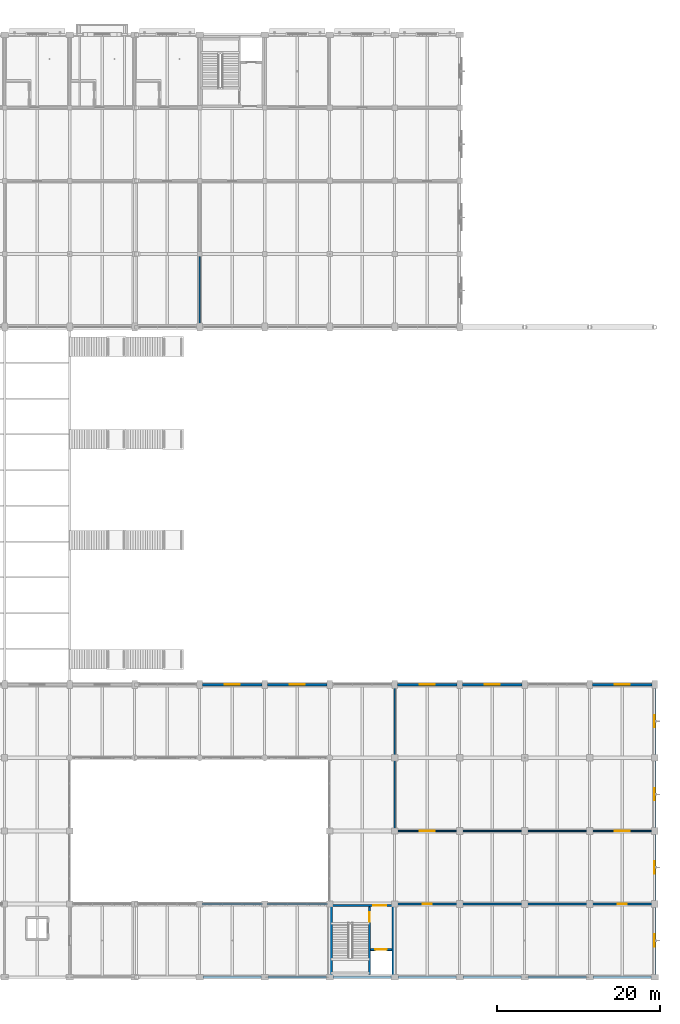
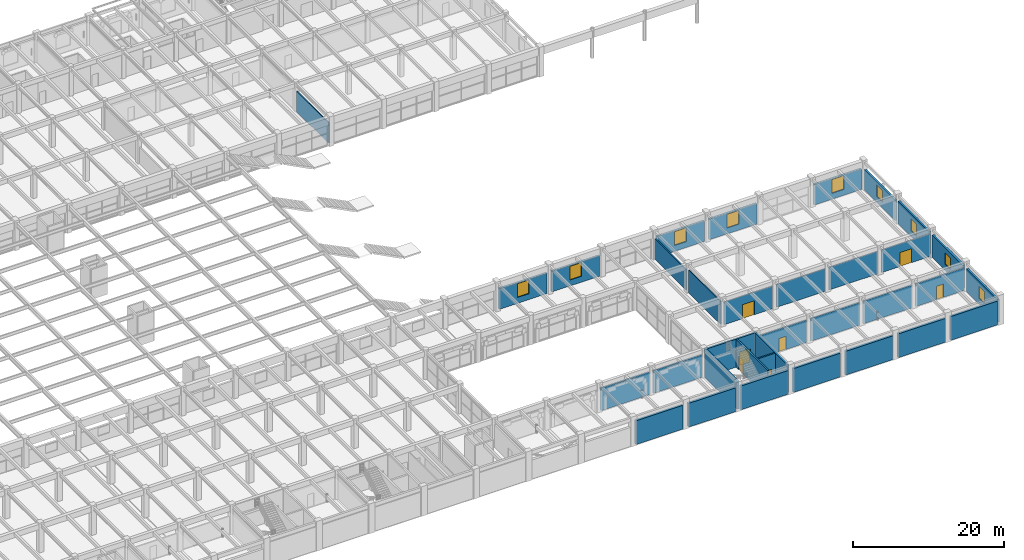
# One storey, part 112 of 144: 34 walls, 9 windows, 7 doors, 16 openings.
"""IFC4 building model written with IfcOpenShell, lengths in metres."""

from ifc_helpers import new_model, si_unit, direction, frame, frame_2d, origin, place, context, subcontext, project, spatial, rectangle, extrude, material, layer, layer_set, type_object, element, fill, save


model = new_model("IFC4")

# Units and contexts
model_context = context("Model", 3, precision=1e-05, world=origin(), true_north=direction((0.0, 1.0)))
body_context = subcontext(model_context, "Body", "Model", "MODEL_VIEW")
ifc_project = project(units=[si_unit("LENGTHUNIT", "METRE"), si_unit("AREAUNIT", "SQUARE_METRE"), si_unit("VOLUMEUNIT", "CUBIC_METRE"), si_unit("PLANEANGLEUNIT", "RADIAN"), si_unit("MASSUNIT", "GRAM", prefix="KILO")], contexts=[model_context])

# Site, building, storey
site_placement = place(None, origin())
site = spatial("IfcSite", under=ifc_project, at=site_placement, CompositionType="ELEMENT")
building_placement = place(site_placement, origin())
building = spatial("IfcBuilding", under=site, at=building_placement, Name="Varnabhumi Central Station", CompositionType="ELEMENT")
storey_placement = place(building_placement, frame((0.0, 0.0, 4.800048828125)))
storey = spatial("IfcBuildingStorey", under=building, at=storey_placement, Name="L01", CompositionType="ELEMENT", Elevation=4.800048828125)

# Walls
ifc_material_1 = material(Name="Autoclaved aerated blockwork masonry", Category="masonry")
ifc_layer_1 = layer(ifc_material_1, 0.219970703125, Name="Autoclaved aerated blockwork masonry", Category="masonry")
ifc_layer_set_1 = layer_set([ifc_layer_1], Name="Autoclaved aerated blockwork masonry")
wall_type_1 = type_object("IfcWallType", Name="WAL-COMP-AAC-220", PredefinedType="SOLIDWALL", material=ifc_layer_set_1)
for number, where, z_axis, x_axis, name in (
    (1, (128.300048828125, 9.0, 0.0), (0.0, 0.0, 1.0), (1.0, 0.0, 0.0), "Lost Property and Station Archive Store Corridor Partition 3"),
    (2, (136.300048828125, 9.0, 0.0), (0.0, 0.0, 1.0), (1.0, 0.0, 0.0), "Lost Property and Station Archive Store Corridor Partition 4"),
):
    element("IfcWall", number, at=place(storey_placement, frame(where, z_axis=z_axis, x_axis=x_axis)), inside=storey, type_object=wall_type_1, Name=name, PredefinedType="SOLIDWALL", context=body_context, shape_type="SweptSolid", body=[
        extrude(rectangle(XDim=7.39990234375, YDim=0.219970703125, at=frame_2d((3.699951171875, 0.0))), origin(), (0.0, 0.0, 1.0), 3.659912109375),
    ])

# Wall, opening, door
wall_1_placement = place(storey_placement, frame((152.300048828125, 9.0, 0.0), z_axis=(0.0, 0.0, 1.0), x_axis=(1.0, 0.0, 0.0)))
wall_1 = element("IfcWall", 3, at=wall_1_placement, inside=storey, type_object=wall_type_1, Name="Dry Commissary Store Corridor Partition 1", PredefinedType="SOLIDWALL", context=body_context, shape_type="SweptSolid", body=[
    extrude(rectangle(XDim=7.39990234375, YDim=0.219970703125, at=frame_2d((3.699951171875, 0.0))), origin(), (0.0, 0.0, 1.0), 3.659912109375),
])
opening_1_placement = place(wall_1_placement, frame((3.14990234375, 0.0, 0.0)))
opening_1 = element("IfcOpeningElement", 4, at=opening_1_placement, cuts=wall_1, Name="Opening FD-60", PredefinedType="OPENING", context=body_context, shape_type="SweptSolid", body=[
    extrude(rectangle(XDim=1.10009765625, YDim=2.14990234375, at=frame_2d((0.550048828125, 1.074951171875))), frame((0.0, 0.119873046875, 0.0), z_axis=(0.0, -1.0, 0.0), x_axis=(1.0, 0.0, 0.0)), (0.0, 0.0, 1.0), 0.239990234375),
])
ifc_material_2 = material(Name="Intumescent-treated hardwood timber", Category="wood")
door_type_1 = type_object("IfcDoorType", Name="DR-FIRE-60-1100", OperationType="NOTDEFINED", PredefinedType="DOOR", material=ifc_material_2)
door_1_placement = place(opening_1_placement, origin())
door_1 = element("IfcDoor", 5, at=door_1_placement, inside=storey, type_object=door_type_1, Name="Dry Commissary Store Door 1", OperationType="SINGLE_SWING_RIGHT", OverallHeight=2.14990234375, OverallWidth=1.10009765625, PredefinedType="DOOR", context=body_context, shape_type="SweptSolid", body=[
    extrude(rectangle(XDim=1.10009765625, YDim=2.14990234375, at=frame_2d((0.550048828125, 1.074951171875))), frame((0.0, 0.02490234375, 0.0), z_axis=(0.0, -1.0, 0.0), x_axis=(1.0, 0.0, 0.0)), (0.0, 0.0, 1.0), 0.050048828125),
])
fill(opening_1, door_1)

# Walls
for number, where, z_axis, x_axis, name in (
    (6, (160.300048828125, 9.0, 0.0), (0.0, 0.0, 1.0), (1.0, 0.0, 0.0), "Dry Commissary Store Corridor Partition 2"),
    (7, (168.300048828125, 9.0, 0.0), (0.0, 0.0, 1.0), (1.0, 0.0, 0.0), "Dry Commissary Store Corridor Partition 3"),
):
    element("IfcWall", number, at=place(storey_placement, frame(where, z_axis=z_axis, x_axis=x_axis)), inside=storey, type_object=wall_type_1, Name=name, PredefinedType="SOLIDWALL", context=body_context, shape_type="SweptSolid", body=[
        extrude(rectangle(XDim=7.39990234375, YDim=0.219970703125, at=frame_2d((3.699951171875, 0.0))), origin(), (0.0, 0.0, 1.0), 3.659912109375),
    ])

# Wall, opening, door
wall_2_placement = place(storey_placement, frame((176.300048828125, 9.0, 0.0), z_axis=(0.0, 0.0, 1.0), x_axis=(1.0, 0.0, 0.0)))
wall_2 = element("IfcWall", 8, at=wall_2_placement, inside=storey, type_object=wall_type_1, Name="Dry Commissary Store Corridor Partition 4", PredefinedType="SOLIDWALL", context=body_context, shape_type="SweptSolid", body=[
    extrude(rectangle(XDim=7.39990234375, YDim=0.219970703125, at=frame_2d((3.699951171875, 0.0))), origin(), (0.0, 0.0, 1.0), 3.659912109375),
])
opening_2_placement = place(wall_2_placement, frame((3.14990234375, 0.0, 0.0)))
opening_2 = element("IfcOpeningElement", 9, at=opening_2_placement, cuts=wall_2, Name="Opening FD-60", PredefinedType="OPENING", context=body_context, shape_type="SweptSolid", body=[
    extrude(rectangle(XDim=1.10009765625, YDim=2.14990234375, at=frame_2d((0.550048828125, 1.074951171875))), frame((0.0, 0.119873046875, 0.0), z_axis=(0.0, -1.0, 0.0), x_axis=(1.0, 0.0, 0.0)), (0.0, 0.0, 1.0), 0.239990234375),
])
door_2_placement = place(opening_2_placement, origin())
door_2 = element("IfcDoor", 10, at=door_2_placement, inside=storey, type_object=door_type_1, Name="Dry Commissary Store Door 4", OperationType="SINGLE_SWING_LEFT", OverallHeight=2.14990234375, OverallWidth=1.10009765625, PredefinedType="DOOR", context=body_context, shape_type="SweptSolid", body=[
    extrude(rectangle(XDim=1.10009765625, YDim=2.14990234375, at=frame_2d((0.550048828125, 1.074951171875))), frame((0.0, 0.02490234375, 0.0), z_axis=(0.0, -1.0, 0.0), x_axis=(1.0, 0.0, 0.0)), (0.0, 0.0, 1.0), 0.050048828125),
])
fill(opening_2, door_2)

# Walls
ifc_material_3 = material(Name="Concrete M40", Category="concrete")
ifc_layer_2 = layer(ifc_material_3, 0.300048828125, Name="Concrete M40", Category="concrete")
ifc_layer_set_2 = layer_set([ifc_layer_2], Name="Concrete M40")
wall_type_2 = type_object("IfcWallType", Name="WAL-CORE-RC-300", PredefinedType="SHEAR", material=ifc_layer_set_2)
for number, where, z_axis, x_axis, name in (
    (11, (144.179931640625, 0.179931640625, 0.0), (0.0, 0.0, 1.0), (0.0, 1.0, 0.0), "SC3 L01 West Shear Wall"),
    (12, (151.820068359375, 0.179931640625, 0.0), (0.0, 0.0, 1.0), (0.0, 1.0, 0.0), "SC3 L01 East Shear Wall"),
):
    element("IfcWall", number, at=place(storey_placement, frame(where, z_axis=z_axis, x_axis=x_axis)), inside=storey, type_object=wall_type_2, Name=name, PredefinedType="SHEAR", context=body_context, shape_type="SweptSolid", body=[
        extrude(rectangle(XDim=8.64013671875, YDim=0.300048828125, at=frame_2d((4.320068359375, 0.0))), origin(), (0.0, 0.0, 1.0), 4.52001953125),
    ])

# Wall, opening, door
wall_3_placement = place(storey_placement, frame((144.030029296875, 8.820068359375, 0.0), z_axis=(0.0, 0.0, 1.0), x_axis=(1.0, 0.0, 0.0)))
wall_3 = element("IfcWall", 13, at=wall_3_placement, inside=storey, type_object=wall_type_2, Name="SC3 L01 Corridor Shear Wall", PredefinedType="SHEAR", context=body_context, shape_type="SweptSolid", body=[
    extrude(rectangle(XDim=7.93994140625, YDim=0.300048828125, at=frame_2d((3.969970703125, 0.0))), origin(), (0.0, 0.0, 1.0), 4.52001953125),
])
opening_3_placement = place(wall_3_placement, frame((5.35009765625, 0.0, 0.0)))
opening_3 = element("IfcOpeningElement", 14, at=opening_3_placement, cuts=wall_3, Name="Opening FD-60D", PredefinedType="OPENING", context=body_context, shape_type="SweptSolid", body=[
    extrude(rectangle(XDim=1.60009765625, YDim=2.14990234375, at=frame_2d((0.800048828125, 1.074951171875))), frame((0.0, 0.159912109375, 0.0), z_axis=(0.0, -1.0, 0.0), x_axis=(1.0, 0.0, 0.0)), (0.0, 0.0, 1.0), 0.320068359375),
])
door_type_2 = type_object("IfcDoorType", Name="DR-FIRE-60-1600", OperationType="NOTDEFINED", PredefinedType="DOOR", material=ifc_material_2)
door_3_placement = place(opening_3_placement, origin())
door_3 = element("IfcDoor", 15, at=door_3_placement, inside=storey, type_object=door_type_2, Name="SC3 L01 Lobby Fire Door", OperationType="DOUBLE_DOOR_SINGLE_SWING", OverallHeight=2.14990234375, OverallWidth=1.60009765625, PredefinedType="DOOR", context=body_context, shape_type="SweptSolid", body=[
    extrude(rectangle(XDim=1.60009765625, YDim=2.14990234375, at=frame_2d((0.800048828125, 1.074951171875))), frame((0.0, 0.02490234375, 0.0), z_axis=(0.0, -1.0, 0.0), x_axis=(1.0, 0.0, 0.0)), (0.0, 0.0, 1.0), 0.050048828125),
])
fill(opening_3, door_3)

# Wall, opening, window
ifc_layer_3 = layer(ifc_material_1, 0.300048828125, Name="Autoclaved aerated blockwork masonry", Category="masonry")
ifc_layer_set_3 = layer_set([ifc_layer_3], Name="Autoclaved aerated blockwork masonry")
wall_type_3 = type_object("IfcWallType", Name="WAL-EXT-STUCCO-300", PredefinedType="SOLIDWALL", material=ifc_layer_set_3)
wall_4_placement = place(storey_placement, frame((128.344970703125, 36.0, 0.0), z_axis=(0.0, 0.0, 1.0), x_axis=(1.0, 0.0, 0.0)))
wall_4 = element("IfcWall", 16, at=wall_4_placement, inside=storey, type_object=wall_type_3, Name="South Spine Wall L01-17", PredefinedType="SOLIDWALL", context=body_context, shape_type="SweptSolid", body=[
    extrude(rectangle(XDim=7.31005859375, YDim=0.300048828125, at=frame_2d((3.655029296875, 0.0))), origin(), (0.0, 0.0, 1.0), 3.31005859375),
])
opening_4_placement = place(wall_4_placement, frame((2.7548828125, 0.0, 0.949951171875)))
opening_4 = element("IfcOpeningElement", 17, at=opening_4_placement, cuts=wall_4, Name="Opening W-02", PredefinedType="OPENING", context=body_context, shape_type="SweptSolid", body=[
    extrude(rectangle(XDim=1.800048828125, YDim=2.219970703125, at=frame_2d((0.89990234375, 1.10986328125))), frame((0.0, 0.159912109375, 0.0), z_axis=(0.0, -1.0, 0.0), x_axis=(1.0, 0.0, 0.0)), (0.0, 0.0, 1.0), 0.320068359375),
])
ifc_material_4 = material(Name="Laminated low-E double glazing", Category="glass")
window_type_1 = type_object("IfcWindowType", Name="WIN-ARCADE-1800x2600", PartitioningType="DOUBLE_PANEL_VERTICAL", PredefinedType="WINDOW", material=ifc_material_4)
window_1_placement = place(opening_4_placement, origin())
window_1 = element("IfcWindow", 18, at=window_1_placement, inside=storey, type_object=window_type_1, Name="South Spine Overlook Window L01-17", OverallHeight=2.219970703125, OverallWidth=1.800048828125, PartitioningType="SINGLE_PANEL", PredefinedType="WINDOW", context=body_context, shape_type="SweptSolid", body=[
    extrude(rectangle(XDim=1.800048828125, YDim=2.219970703125, at=frame_2d((0.89990234375, 1.10986328125))), frame((0.0, 0.030029296875, 0.0), z_axis=(0.0, -1.0, 0.0), x_axis=(1.0, 0.0, 0.0)), (0.0, 0.0, 1.0), 0.06005859375),
])
fill(opening_4, window_1)

wall_5_placement = place(storey_placement, frame((136.344970703125, 36.0, 0.0), z_axis=(0.0, 0.0, 1.0), x_axis=(1.0, 0.0, 0.0)))
wall_5 = element("IfcWall", 19, at=wall_5_placement, inside=storey, type_object=wall_type_3, Name="South Spine Wall L01-18", PredefinedType="SOLIDWALL", context=body_context, shape_type="SweptSolid", body=[
    extrude(rectangle(XDim=7.31005859375, YDim=0.300048828125, at=frame_2d((3.655029296875, 0.0))), origin(), (0.0, 0.0, 1.0), 3.31005859375),
])
opening_5_placement = place(wall_5_placement, frame((2.7548828125, 0.0, 0.949951171875)))
opening_5 = element("IfcOpeningElement", 20, at=opening_5_placement, cuts=wall_5, Name="Opening W-02", PredefinedType="OPENING", context=body_context, shape_type="SweptSolid", body=[
    extrude(rectangle(XDim=1.800048828125, YDim=2.219970703125, at=frame_2d((0.89990234375, 1.10986328125))), frame((0.0, 0.159912109375, 0.0), z_axis=(0.0, -1.0, 0.0), x_axis=(1.0, 0.0, 0.0)), (0.0, 0.0, 1.0), 0.320068359375),
])
window_2_placement = place(opening_5_placement, origin())
window_2 = element("IfcWindow", 21, at=window_2_placement, inside=storey, type_object=window_type_1, Name="South Spine Overlook Window L01-18", OverallHeight=2.219970703125, OverallWidth=1.800048828125, PartitioningType="SINGLE_PANEL", PredefinedType="WINDOW", context=body_context, shape_type="SweptSolid", body=[
    extrude(rectangle(XDim=1.800048828125, YDim=2.219970703125, at=frame_2d((0.89990234375, 1.10986328125))), frame((0.0, 0.030029296875, 0.0), z_axis=(0.0, -1.0, 0.0), x_axis=(1.0, 0.0, 0.0)), (0.0, 0.0, 1.0), 0.06005859375),
])
fill(opening_5, window_2)

wall_6_placement = place(storey_placement, frame((152.344970703125, 36.0, 0.0), z_axis=(0.0, 0.0, 1.0), x_axis=(1.0, 0.0, 0.0)))
wall_6 = element("IfcWall", 22, at=wall_6_placement, inside=storey, type_object=wall_type_3, Name="South Spine Wall L01-20", PredefinedType="SOLIDWALL", context=body_context, shape_type="SweptSolid", body=[
    extrude(rectangle(XDim=7.31005859375, YDim=0.300048828125, at=frame_2d((3.655029296875, 0.0))), origin(), (0.0, 0.0, 1.0), 3.31005859375),
])
opening_6_placement = place(wall_6_placement, frame((2.7548828125, 0.0, 0.949951171875)))
opening_6 = element("IfcOpeningElement", 23, at=opening_6_placement, cuts=wall_6, Name="Opening W-02", PredefinedType="OPENING", context=body_context, shape_type="SweptSolid", body=[
    extrude(rectangle(XDim=1.800048828125, YDim=2.219970703125, at=frame_2d((0.89990234375, 1.10986328125))), frame((0.0, 0.159912109375, 0.0), z_axis=(0.0, -1.0, 0.0), x_axis=(1.0, 0.0, 0.0)), (0.0, 0.0, 1.0), 0.320068359375),
])
window_3_placement = place(opening_6_placement, origin())
window_3 = element("IfcWindow", 24, at=window_3_placement, inside=storey, type_object=window_type_1, Name="South Spine Overlook Window L01-20", OverallHeight=2.219970703125, OverallWidth=1.800048828125, PartitioningType="SINGLE_PANEL", PredefinedType="WINDOW", context=body_context, shape_type="SweptSolid", body=[
    extrude(rectangle(XDim=1.800048828125, YDim=2.219970703125, at=frame_2d((0.89990234375, 1.10986328125))), frame((0.0, 0.030029296875, 0.0), z_axis=(0.0, -1.0, 0.0), x_axis=(1.0, 0.0, 0.0)), (0.0, 0.0, 1.0), 0.06005859375),
])
fill(opening_6, window_3)

wall_7_placement = place(storey_placement, frame((160.344970703125, 36.0, 0.0), z_axis=(0.0, 0.0, 1.0), x_axis=(1.0, 0.0, 0.0)))
wall_7 = element("IfcWall", 25, at=wall_7_placement, inside=storey, type_object=wall_type_3, Name="South Spine Wall L01-21", PredefinedType="SOLIDWALL", context=body_context, shape_type="SweptSolid", body=[
    extrude(rectangle(XDim=7.31005859375, YDim=0.300048828125, at=frame_2d((3.655029296875, 0.0))), origin(), (0.0, 0.0, 1.0), 3.31005859375),
])
opening_7_placement = place(wall_7_placement, frame((2.7548828125, 0.0, 0.949951171875)))
opening_7 = element("IfcOpeningElement", 26, at=opening_7_placement, cuts=wall_7, Name="Opening W-02", PredefinedType="OPENING", context=body_context, shape_type="SweptSolid", body=[
    extrude(rectangle(XDim=1.800048828125, YDim=2.219970703125, at=frame_2d((0.89990234375, 1.10986328125))), frame((0.0, 0.159912109375, 0.0), z_axis=(0.0, -1.0, 0.0), x_axis=(1.0, 0.0, 0.0)), (0.0, 0.0, 1.0), 0.320068359375),
])
window_4_placement = place(opening_7_placement, origin())
window_4 = element("IfcWindow", 27, at=window_4_placement, inside=storey, type_object=window_type_1, Name="South Spine Overlook Window L01-21", OverallHeight=2.219970703125, OverallWidth=1.800048828125, PartitioningType="SINGLE_PANEL", PredefinedType="WINDOW", context=body_context, shape_type="SweptSolid", body=[
    extrude(rectangle(XDim=1.800048828125, YDim=2.219970703125, at=frame_2d((0.89990234375, 1.10986328125))), frame((0.0, 0.030029296875, 0.0), z_axis=(0.0, -1.0, 0.0), x_axis=(1.0, 0.0, 0.0)), (0.0, 0.0, 1.0), 0.06005859375),
])
fill(opening_7, window_4)

wall_8_placement = place(storey_placement, frame((176.344970703125, 36.0, 0.0), z_axis=(0.0, 0.0, 1.0), x_axis=(1.0, 0.0, 0.0)))
wall_8 = element("IfcWall", 28, at=wall_8_placement, inside=storey, type_object=wall_type_3, Name="South Spine Wall L01-23", PredefinedType="SOLIDWALL", context=body_context, shape_type="SweptSolid", body=[
    extrude(rectangle(XDim=7.31005859375, YDim=0.300048828125, at=frame_2d((3.655029296875, 0.0))), origin(), (0.0, 0.0, 1.0), 3.31005859375),
])
opening_8_placement = place(wall_8_placement, frame((2.7548828125, 0.0, 0.949951171875)))
opening_8 = element("IfcOpeningElement", 29, at=opening_8_placement, cuts=wall_8, Name="Opening W-02", PredefinedType="OPENING", context=body_context, shape_type="SweptSolid", body=[
    extrude(rectangle(XDim=1.800048828125, YDim=2.219970703125, at=frame_2d((0.89990234375, 1.10986328125))), frame((0.0, 0.159912109375, 0.0), z_axis=(0.0, -1.0, 0.0), x_axis=(1.0, 0.0, 0.0)), (0.0, 0.0, 1.0), 0.320068359375),
])
window_5_placement = place(opening_8_placement, origin())
window_5 = element("IfcWindow", 30, at=window_5_placement, inside=storey, type_object=window_type_1, Name="South Spine Overlook Window L01-23", OverallHeight=2.219970703125, OverallWidth=1.800048828125, PartitioningType="SINGLE_PANEL", PredefinedType="WINDOW", context=body_context, shape_type="SweptSolid", body=[
    extrude(rectangle(XDim=1.800048828125, YDim=2.219970703125, at=frame_2d((0.89990234375, 1.10986328125))), frame((0.0, 0.030029296875, 0.0), z_axis=(0.0, -1.0, 0.0), x_axis=(1.0, 0.0, 0.0)), (0.0, 0.0, 1.0), 0.06005859375),
])
fill(opening_8, window_5)

wall_9_placement = place(storey_placement, frame((184.0, 0.344970703125, 0.0), z_axis=(0.0, 0.0, 1.0), x_axis=(0.0, 1.0, 0.0)))
wall_9 = element("IfcWall", 31, at=wall_9_placement, inside=storey, type_object=wall_type_3, Name="South Wing W End Wall L01-1", PredefinedType="SOLIDWALL", context=body_context, shape_type="SweptSolid", body=[
    extrude(rectangle(XDim=8.255126953125, YDim=0.300048828125, at=frame_2d((4.12744140625, 0.0))), origin(), (0.0, 0.0, 1.0), 3.659912109375),
])
opening_9_placement = place(wall_9_placement, frame((3.405029296875, 0.0, 0.949951171875)))
opening_9 = element("IfcOpeningElement", 32, at=opening_9_placement, cuts=wall_9, Name="Opening W-07", PredefinedType="OPENING", context=body_context, shape_type="SweptSolid", body=[
    extrude(rectangle(XDim=1.5, YDim=1.89990234375, at=frame_2d((0.75, 0.949951171875))), frame((0.0, 0.159912109375, 0.0), z_axis=(0.0, -1.0, 0.0), x_axis=(1.0, 0.0, 0.0)), (0.0, 0.0, 1.0), 0.320068359375),
])
window_type_2 = type_object("IfcWindowType", Name="WIN-OPS-1500x1900", PartitioningType="SINGLE_PANEL", PredefinedType="WINDOW", material=ifc_material_4)
window_6_placement = place(opening_9_placement, origin())
window_6 = element("IfcWindow", 33, at=window_6_placement, inside=storey, type_object=window_type_2, Name="South W Window L01-1", OverallHeight=1.89990234375, OverallWidth=1.5, PartitioningType="SINGLE_PANEL", PredefinedType="WINDOW", context=body_context, shape_type="SweptSolid", body=[
    extrude(rectangle(XDim=1.5, YDim=1.89990234375, at=frame_2d((0.75, 0.949951171875))), frame((0.0, 0.030029296875, 0.0), z_axis=(0.0, -1.0, 0.0), x_axis=(1.0, 0.0, 0.0)), (0.0, 0.0, 1.0), 0.06005859375),
])
fill(opening_9, window_6)

wall_10_placement = place(storey_placement, frame((184.0, 9.39990234375, 0.0), z_axis=(0.0, 0.0, 1.0), x_axis=(0.0, 1.0, 0.0)))
wall_10 = element("IfcWall", 34, at=wall_10_placement, inside=storey, type_object=wall_type_3, Name="South Wing W End Wall L01-2", PredefinedType="SOLIDWALL", context=body_context, shape_type="SweptSolid", body=[
    extrude(rectangle(XDim=8.2001953125, YDim=0.300048828125, at=frame_2d((4.10009765625, 0.0))), origin(), (0.0, 0.0, 1.0), 3.659912109375),
])
opening_10_placement = place(wall_10_placement, frame((3.35009765625, 0.0, 0.949951171875)))
opening_10 = element("IfcOpeningElement", 35, at=opening_10_placement, cuts=wall_10, Name="Opening W-07", PredefinedType="OPENING", context=body_context, shape_type="SweptSolid", body=[
    extrude(rectangle(XDim=1.5, YDim=1.89990234375, at=frame_2d((0.75, 0.949951171875))), frame((0.0, 0.159912109375, 0.0), z_axis=(0.0, -1.0, 0.0), x_axis=(1.0, 0.0, 0.0)), (0.0, 0.0, 1.0), 0.320068359375),
])
window_7_placement = place(opening_10_placement, origin())
window_7 = element("IfcWindow", 36, at=window_7_placement, inside=storey, type_object=window_type_2, Name="South W Window L01-2", OverallHeight=1.89990234375, OverallWidth=1.5, PartitioningType="SINGLE_PANEL", PredefinedType="WINDOW", context=body_context, shape_type="SweptSolid", body=[
    extrude(rectangle(XDim=1.5, YDim=1.89990234375, at=frame_2d((0.75, 0.949951171875))), frame((0.0, 0.030029296875, 0.0), z_axis=(0.0, -1.0, 0.0), x_axis=(1.0, 0.0, 0.0)), (0.0, 0.0, 1.0), 0.06005859375),
])
fill(opening_10, window_7)

wall_11_placement = place(storey_placement, frame((184.0, 18.39990234375, 0.0), z_axis=(0.0, 0.0, 1.0), x_axis=(0.0, 1.0, 0.0)))
wall_11 = element("IfcWall", 37, at=wall_11_placement, inside=storey, type_object=wall_type_3, Name="South Wing W End Wall L01-3", PredefinedType="SOLIDWALL", context=body_context, shape_type="SweptSolid", body=[
    extrude(rectangle(XDim=8.2001953125, YDim=0.300048828125, at=frame_2d((4.10009765625, 0.0))), origin(), (0.0, 0.0, 1.0), 3.659912109375),
])
opening_11_placement = place(wall_11_placement, frame((3.35009765625, 0.0, 0.949951171875)))
opening_11 = element("IfcOpeningElement", 38, at=opening_11_placement, cuts=wall_11, Name="Opening W-07", PredefinedType="OPENING", context=body_context, shape_type="SweptSolid", body=[
    extrude(rectangle(XDim=1.5, YDim=1.89990234375, at=frame_2d((0.75, 0.949951171875))), frame((0.0, 0.159912109375, 0.0), z_axis=(0.0, -1.0, 0.0), x_axis=(1.0, 0.0, 0.0)), (0.0, 0.0, 1.0), 0.320068359375),
])
window_8_placement = place(opening_11_placement, origin())
window_8 = element("IfcWindow", 39, at=window_8_placement, inside=storey, type_object=window_type_2, Name="South W Window L01-3", OverallHeight=1.89990234375, OverallWidth=1.5, PartitioningType="SINGLE_PANEL", PredefinedType="WINDOW", context=body_context, shape_type="SweptSolid", body=[
    extrude(rectangle(XDim=1.5, YDim=1.89990234375, at=frame_2d((0.75, 0.949951171875))), frame((0.0, 0.030029296875, 0.0), z_axis=(0.0, -1.0, 0.0), x_axis=(1.0, 0.0, 0.0)), (0.0, 0.0, 1.0), 0.06005859375),
])
fill(opening_11, window_8)

wall_12_placement = place(storey_placement, frame((184.0, 27.39990234375, 0.0), z_axis=(0.0, 0.0, 1.0), x_axis=(0.0, 1.0, 0.0)))
wall_12 = element("IfcWall", 40, at=wall_12_placement, inside=storey, type_object=wall_type_3, Name="South Wing W End Wall L01-4", PredefinedType="SOLIDWALL", context=body_context, shape_type="SweptSolid", body=[
    extrude(rectangle(XDim=8.2001953125, YDim=0.300048828125, at=frame_2d((4.10009765625, 0.0))), origin(), (0.0, 0.0, 1.0), 3.31005859375),
])
opening_12_placement = place(wall_12_placement, frame((3.35009765625, 0.0, 0.949951171875)))
opening_12 = element("IfcOpeningElement", 41, at=opening_12_placement, cuts=wall_12, Name="Opening W-07", PredefinedType="OPENING", context=body_context, shape_type="SweptSolid", body=[
    extrude(rectangle(XDim=1.5, YDim=1.89990234375, at=frame_2d((0.75, 0.949951171875))), frame((0.0, 0.159912109375, 0.0), z_axis=(0.0, -1.0, 0.0), x_axis=(1.0, 0.0, 0.0)), (0.0, 0.0, 1.0), 0.320068359375),
])
window_9_placement = place(opening_12_placement, origin())
window_9 = element("IfcWindow", 42, at=window_9_placement, inside=storey, type_object=window_type_2, Name="South W Window L01-4", OverallHeight=1.89990234375, OverallWidth=1.5, PartitioningType="SINGLE_PANEL", PredefinedType="WINDOW", context=body_context, shape_type="SweptSolid", body=[
    extrude(rectangle(XDim=1.5, YDim=1.89990234375, at=frame_2d((0.75, 0.949951171875))), frame((0.0, 0.030029296875, 0.0), z_axis=(0.0, -1.0, 0.0), x_axis=(1.0, 0.0, 0.0)), (0.0, 0.0, 1.0), 0.06005859375),
])
fill(opening_12, window_9)

# Wall
ifc_layer_4 = layer(ifc_material_1, 0.159912109375, Name="Autoclaved aerated blockwork masonry", Category="masonry")
ifc_layer_set_4 = layer_set([ifc_layer_4], Name="Autoclaved aerated blockwork masonry")
wall_type_4 = type_object("IfcWallType", Name="WAL-PART-AAC-160", PredefinedType="PARTITIONING", material=ifc_layer_set_4)
wall_13_placement = place(storey_placement, frame((128.0, 80.300048828125, 0.0), z_axis=(0.0, 0.0, 1.0), x_axis=(0.0, 1.0, 0.0)))
element("IfcWall", 43, at=wall_13_placement, inside=storey, type_object=wall_type_4, Name="Ladies' Transit Dormitory W Partition 1", PredefinedType="PARTITIONING", context=body_context, shape_type="SweptSolid", body=[
    extrude(rectangle(XDim=8.39990234375, YDim=0.159912109375, at=frame_2d((4.199951171875, 0.0))), origin(), (0.0, 0.0, 1.0), 3.31005859375),
])

# Wall, opening, door
wall_14_placement = place(storey_placement, frame((152.300048828125, 18.0, 0.0), z_axis=(0.0, 0.0, 1.0), x_axis=(1.0, 0.0, 0.0)))
wall_14 = element("IfcWall", 44, at=wall_14_placement, inside=storey, type_object=wall_type_4, Name="On-Board Train Catering Commissary Corridor Partition 1", PredefinedType="PARTITIONING", context=body_context, shape_type="SweptSolid", body=[
    extrude(rectangle(XDim=7.39990234375, YDim=0.159912109375, at=frame_2d((3.699951171875, 0.0))), origin(), (0.0, 0.0, 1.0), 3.659912109375),
])
opening_13_placement = place(wall_14_placement, frame((2.800048828125, 0.0, 0.0)))
opening_13 = element("IfcOpeningElement", 45, at=opening_13_placement, cuts=wall_14, Name="Opening D-02", PredefinedType="OPENING", context=body_context, shape_type="SweptSolid", body=[
    extrude(rectangle(XDim=1.800048828125, YDim=2.25, at=frame_2d((0.89990234375, 1.125))), frame((0.0, 0.08984375, 0.0), z_axis=(0.0, -1.0, 0.0), x_axis=(1.0, 0.0, 0.0)), (0.0, 0.0, 1.0), 0.179931640625),
])
ifc_material_5 = material(Name="Anodised aluminium 6063-T6", Category="aluminium")
door_type_3 = type_object("IfcDoorType", Name="DR-LOUNGE-1800", OperationType="NOTDEFINED", PredefinedType="DOOR", material=ifc_material_5)
door_4_placement = place(opening_13_placement, frame((1.800048828125, 0.0, 0.0), z_axis=(0.0, 0.0, 1.0), x_axis=(-1.0, 0.0, 0.0)))
door_4 = element("IfcDoor", 46, at=door_4_placement, inside=storey, type_object=door_type_3, Name="On-Board Train Catering Commissary Door 1", OperationType="DOUBLE_DOOR_SINGLE_SWING", OverallHeight=2.25, OverallWidth=1.800048828125, PredefinedType="DOOR", context=body_context, shape_type="SweptSolid", body=[
    extrude(rectangle(XDim=1.800048828125, YDim=2.25, at=frame_2d((0.89990234375, 1.125))), frame((0.0, 0.02490234375, 0.0), z_axis=(0.0, -1.0, 0.0), x_axis=(1.0, 0.0, 0.0)), (0.0, 0.0, 1.0), 0.050048828125),
])
fill(opening_13, door_4)

# Walls
for number, where, z_axis, x_axis, name in (
    (47, (160.300048828125, 18.0, 0.0), (0.0, 0.0, 1.0), (1.0, 0.0, 0.0), "On-Board Train Catering Commissary Corridor Partition 2"),
    (48, (168.300048828125, 18.0, 0.0), (0.0, 0.0, 1.0), (1.0, 0.0, 0.0), "On-Board Train Catering Commissary Corridor Partition 3"),
):
    element("IfcWall", number, at=place(storey_placement, frame(where, z_axis=z_axis, x_axis=x_axis)), inside=storey, type_object=wall_type_4, Name=name, PredefinedType="PARTITIONING", context=body_context, shape_type="SweptSolid", body=[
        extrude(rectangle(XDim=7.39990234375, YDim=0.159912109375, at=frame_2d((3.699951171875, 0.0))), origin(), (0.0, 0.0, 1.0), 3.659912109375),
    ])

# Wall, opening, door
wall_15_placement = place(storey_placement, frame((176.300048828125, 18.0, 0.0), z_axis=(0.0, 0.0, 1.0), x_axis=(1.0, 0.0, 0.0)))
wall_15 = element("IfcWall", 49, at=wall_15_placement, inside=storey, type_object=wall_type_4, Name="On-Board Train Catering Commissary Corridor Partition 4", PredefinedType="PARTITIONING", context=body_context, shape_type="SweptSolid", body=[
    extrude(rectangle(XDim=7.39990234375, YDim=0.159912109375, at=frame_2d((3.699951171875, 0.0))), origin(), (0.0, 0.0, 1.0), 3.659912109375),
])
opening_14_placement = place(wall_15_placement, frame((2.800048828125, 0.0, 0.0)))
opening_14 = element("IfcOpeningElement", 50, at=opening_14_placement, cuts=wall_15, Name="Opening D-02", PredefinedType="OPENING", context=body_context, shape_type="SweptSolid", body=[
    extrude(rectangle(XDim=1.800048828125, YDim=2.25, at=frame_2d((0.89990234375, 1.125))), frame((0.0, 0.08984375, 0.0), z_axis=(0.0, -1.0, 0.0), x_axis=(1.0, 0.0, 0.0)), (0.0, 0.0, 1.0), 0.179931640625),
])
door_5_placement = place(opening_14_placement, frame((1.800048828125, 0.0, 0.0), z_axis=(0.0, 0.0, 1.0), x_axis=(-1.0, 0.0, 0.0)))
door_5 = element("IfcDoor", 51, at=door_5_placement, inside=storey, type_object=door_type_3, Name="On-Board Train Catering Commissary Door 4", OperationType="DOUBLE_DOOR_SINGLE_SWING", OverallHeight=2.25, OverallWidth=1.800048828125, PredefinedType="DOOR", context=body_context, shape_type="SweptSolid", body=[
    extrude(rectangle(XDim=1.800048828125, YDim=2.25, at=frame_2d((0.89990234375, 1.125))), frame((0.0, 0.02490234375, 0.0), z_axis=(0.0, -1.0, 0.0), x_axis=(1.0, 0.0, 0.0)), (0.0, 0.0, 1.0), 0.050048828125),
])
fill(opening_14, door_5)

# Walls
wall_16_placement = place(storey_placement, frame((152.0, 18.300048828125, 0.0), z_axis=(0.0, 0.0, 1.0), x_axis=(0.0, 1.0, 0.0)))
element("IfcWall", 52, at=wall_16_placement, inside=storey, type_object=wall_type_4, Name="On-Board Train Catering Commissary E Partition 1", PredefinedType="PARTITIONING", context=body_context, shape_type="SweptSolid", body=[
    extrude(rectangle(XDim=8.39990234375, YDim=0.159912109375, at=frame_2d((4.199951171875, 0.0))), origin(), (0.0, 0.0, 1.0), 3.659912109375),
])
wall_17_placement = place(storey_placement, frame((152.0, 27.300048828125, 0.0), z_axis=(0.0, 0.0, 1.0), x_axis=(0.0, 1.0, 0.0)))
element("IfcWall", 53, at=wall_17_placement, inside=storey, type_object=wall_type_4, Name="On-Board Train Catering Commissary E Partition 2", PredefinedType="PARTITIONING", context=body_context, shape_type="SweptSolid", body=[
    extrude(rectangle(XDim=8.39990234375, YDim=0.159912109375, at=frame_2d((4.199951171875, 0.0))), origin(), (0.0, 0.0, 1.0), 3.31005859375),
])

# Wall, opening, door
ifc_layer_5 = layer(ifc_material_3, 0.239990234375, Name="Concrete M40", Category="concrete")
ifc_layer_set_5 = layer_set([ifc_layer_5], Name="Concrete M40")
wall_type_5 = type_object("IfcWallType", Name="WAL-SHAFT-RC-240", PredefinedType="SHEAR", material=ifc_layer_set_5)
wall_18_placement = place(storey_placement, frame((148.89990234375, 0.35009765625, 0.0), z_axis=(0.0, 0.0, 1.0), x_axis=(0.0, 1.0, 0.0)))
wall_18 = element("IfcWall", 54, at=wall_18_placement, inside=storey, type_object=wall_type_5, Name="SC3 L01 Stair-Lobby Divider Wall", PredefinedType="SHEAR", context=body_context, shape_type="SweptSolid", body=[
    extrude(rectangle(XDim=8.2998046875, YDim=0.239990234375, at=frame_2d((4.14990234375, 0.0))), origin(), (0.0, 0.0, 1.0), 4.52001953125),
])
opening_15_placement = place(wall_18_placement, frame((6.449951171875, 0.0, 0.0)))
opening_15 = element("IfcOpeningElement", 55, at=opening_15_placement, cuts=wall_18, Name="Opening FD-120", PredefinedType="OPENING", context=body_context, shape_type="SweptSolid", body=[
    extrude(rectangle(XDim=1.199951171875, YDim=2.14990234375, at=frame_2d((0.60009765625, 1.074951171875))), frame((0.0, 0.1298828125, 0.0), z_axis=(0.0, -1.0, 0.0), x_axis=(1.0, 0.0, 0.0)), (0.0, 0.0, 1.0), 0.260009765625),
])
ifc_material_6 = material(Name="Stainless steel Grade 316", Category="steel")
door_type_4 = type_object("IfcDoorType", Name="DR-FIRE-120-1200", OperationType="NOTDEFINED", PredefinedType="DOOR", material=ifc_material_6)
door_6_placement = place(opening_15_placement, origin())
door_6 = element("IfcDoor", 56, at=door_6_placement, inside=storey, type_object=door_type_4, Name="ST-S3 L01 Fire Door", OperationType="SINGLE_SWING_RIGHT", OverallHeight=2.14990234375, OverallWidth=1.199951171875, PredefinedType="DOOR", context=body_context, shape_type="SweptSolid", body=[
    extrude(rectangle(XDim=1.199951171875, YDim=2.14990234375, at=frame_2d((0.60009765625, 1.074951171875))), frame((0.0, 0.02490234375, 0.0), z_axis=(0.0, -1.0, 0.0), x_axis=(1.0, 0.0, 0.0)), (0.0, 0.0, 1.0), 0.050048828125),
])
fill(opening_15, door_6)

wall_19_placement = place(storey_placement, frame((149.02001953125, 3.39990234375, 0.0), z_axis=(0.0, 0.0, 1.0), x_axis=(1.0, 0.0, 0.0)))
wall_19 = element("IfcWall", 57, at=wall_19_placement, inside=storey, type_object=wall_type_5, Name="GL-1 L01 Lift Shaft Front Wall", PredefinedType="SHEAR", context=body_context, shape_type="SweptSolid", body=[
    extrude(rectangle(XDim=2.6298828125, YDim=0.239990234375, at=frame_2d((1.31494140625, 0.0))), origin(), (0.0, 0.0, 1.0), 4.52001953125),
])
opening_16_placement = place(wall_19_placement, frame((0.614990234375, 0.0, 0.0)))
opening_16 = element("IfcOpeningElement", 58, at=opening_16_placement, cuts=wall_19, Name="Opening LD-GL-1", PredefinedType="OPENING", context=body_context, shape_type="SweptSolid", body=[
    extrude(rectangle(XDim=1.39990234375, YDim=2.14990234375, at=frame_2d((0.699951171875, 1.074951171875))), frame((0.0, 0.1298828125, 0.0), z_axis=(0.0, -1.0, 0.0), x_axis=(1.0, 0.0, 0.0)), (0.0, 0.0, 1.0), 0.260009765625),
])
door_type_5 = type_object("IfcDoorType", Name="DR-LIFT-GOODS-1400", OperationType="NOTDEFINED", PredefinedType="DOOR", material=ifc_material_6)
door_7_placement = place(opening_16_placement, origin())
door_7 = element("IfcDoor", 59, at=door_7_placement, inside=storey, type_object=door_type_5, Name="Lift Landing Door GL-1 L01", OperationType="DOUBLE_DOOR_SLIDING", OverallHeight=2.14990234375, OverallWidth=1.39990234375, PredefinedType="DOOR", context=body_context, shape_type="SweptSolid", body=[
    extrude(rectangle(XDim=1.39990234375, YDim=2.14990234375, at=frame_2d((0.699951171875, 1.074951171875))), frame((0.0, 0.02490234375, 0.0), z_axis=(0.0, -1.0, 0.0), x_axis=(1.0, 0.0, 0.0)), (0.0, 0.0, 1.0), 0.050048828125),
])
fill(opening_16, door_7)

# Walls
ifc_layer_6 = layer(ifc_material_3, 0.340087890625, Name="Concrete M40", Category="concrete")
ifc_layer_set_6 = layer_set([ifc_layer_6], Name="Concrete M40")
wall_type_6 = type_object("IfcWallType", Name="WAL-SOUTH-FIRE-340", PredefinedType="SOLIDWALL", material=ifc_layer_set_6)
for number, where, z_axis, x_axis, name in (
    (60, (128.39990234375, 0.0, 0.0), (0.0, 0.0, 1.0), (1.0, 0.0, 0.0), "South Infill Boundary Fire Wall L01-17"),
    (61, (136.39990234375, 0.0, 0.0), (0.0, 0.0, 1.0), (1.0, 0.0, 0.0), "South Infill Boundary Fire Wall L01-18"),
    (62, (144.39990234375, 0.0, 0.0), (0.0, 0.0, 1.0), (1.0, 0.0, 0.0), "South Infill Boundary Fire Wall L01-19"),
    (63, (152.39990234375, 0.0, 0.0), (0.0, 0.0, 1.0), (1.0, 0.0, 0.0), "South Infill Boundary Fire Wall L01-20"),
    (64, (160.39990234375, 0.0, 0.0), (0.0, 0.0, 1.0), (1.0, 0.0, 0.0), "South Infill Boundary Fire Wall L01-21"),
    (65, (168.39990234375, 0.0, 0.0), (0.0, 0.0, 1.0), (1.0, 0.0, 0.0), "South Infill Boundary Fire Wall L01-22"),
    (66, (176.39990234375, 0.0, 0.0), (0.0, 0.0, 1.0), (1.0, 0.0, 0.0), "South Infill Boundary Fire Wall L01-23"),
):
    element("IfcWall", number, at=place(storey_placement, frame(where, z_axis=z_axis, x_axis=x_axis)), inside=storey, type_object=wall_type_6, Name=name, PredefinedType="SOLIDWALL", context=body_context, shape_type="SweptSolid", body=[
        extrude(rectangle(XDim=7.2001953125, YDim=0.340087890625, at=frame_2d((3.60009765625, 0.0))), origin(), (0.0, 0.0, 1.0), 3.83984375),
    ])

save(model, "model.ifc")
